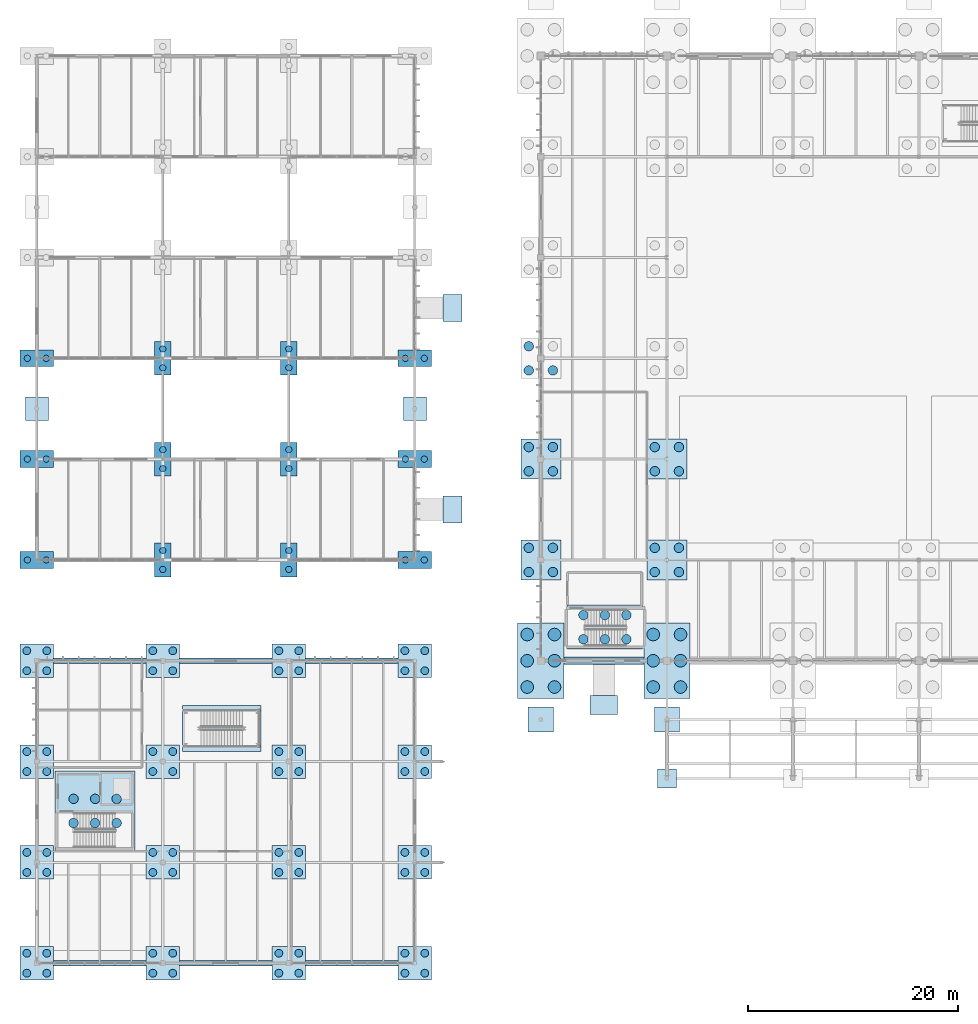
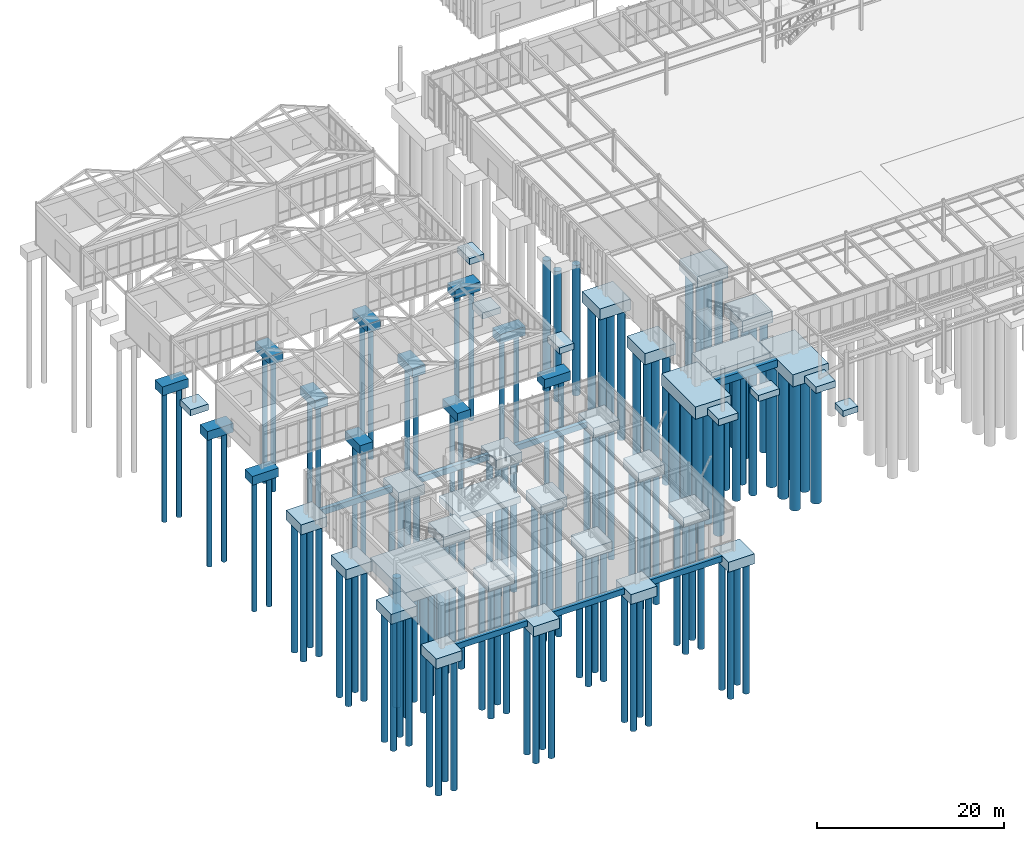
# One storey, part 1 of 188: 131 piles, 52 footings.
"""IFC4 building model written with IfcOpenShell, lengths in metres."""

from ifc_helpers import new_model, si_unit, direction, frame, origin, origin_2d, place, context, subcontext, project, spatial, rectangle, circle, extrude, material, material_profile, profile_set, type_object, element, save


model = new_model("IFC4")

# Units and contexts
model_context = context("Model", 3, precision=1e-05, world=origin(), true_north=direction((0.0, 1.0)))
body_context = subcontext(model_context, "Body", "Model", "MODEL_VIEW")
ifc_project = project(units=[si_unit("LENGTHUNIT", "METRE"), si_unit("AREAUNIT", "SQUARE_METRE"), si_unit("VOLUMEUNIT", "CUBIC_METRE"), si_unit("PLANEANGLEUNIT", "RADIAN"), si_unit("MASSUNIT", "GRAM", prefix="KILO")], contexts=[model_context])

# Site, building, storey
site_placement = place(None, origin())
site = spatial("IfcSite", under=ifc_project, at=site_placement, CompositionType="ELEMENT")
building_placement = place(site_placement, origin())
building = spatial("IfcBuilding", under=site, at=building_placement, Name="Pandanus Reach Market Hall", CompositionType="ELEMENT")
storey_placement = place(building_placement, origin())
storey = spatial("IfcBuildingStorey", under=building, at=storey_placement, Name="L00", CompositionType="ELEMENT", Elevation=0.0)

# Footings
ifc_material = material(Name="Concrete N40 (40 MPa)", Category="concrete")
footing_type_1 = type_object("IfcFootingType", Name="FB-01", PredefinedType="FOOTING_BEAM", material=ifc_material)
for number, where, z_axis, x_axis, name in (
    (1, (6.0, 0.0, -1.02001953125), (0.0, 0.0, 1.0), (1.0, 0.0, 0.0), "Ground tie beam FB-01 35"),
    (2, (18.0, 0.0, -1.02001953125), (0.0, 0.0, 1.0), (1.0, 0.0, 0.0), "Ground tie beam FB-01 36"),
    (3, (30.0, 0.0, -1.02001953125), (0.0, 0.0, 1.0), (1.0, 0.0, 0.0), "Ground tie beam FB-01 37"),
    (4, (6.0, 28.800048828125, -1.02001953125), (0.0, 0.0, 1.0), (1.0, 0.0, 0.0), "Ground tie beam FB-01 38"),
    (5, (18.0, 28.800048828125, -1.02001953125), (0.0, 0.0, 1.0), (1.0, 0.0, 0.0), "Ground tie beam FB-01 39"),
    (6, (30.0, 28.800048828125, -1.02001953125), (0.0, 0.0, 1.0), (1.0, 0.0, 0.0), "Ground tie beam FB-01 40"),
):
    element("IfcFooting", number, at=place(storey_placement, frame(where, z_axis=z_axis, x_axis=x_axis)), inside=storey, type_object=footing_type_1, Name=name, PredefinedType="FOOTING_BEAM", context=body_context, shape_type="SweptSolid", body=[
        extrude(rectangle(XDim=8.800048828125, YDim=0.5, at=origin_2d()), origin(), (0.0, 0.0, 1.0), 0.75),
    ])
footing_type_2 = type_object("IfcFootingType", Name="FB-03", PredefinedType="FOOTING_BEAM", material=ifc_material)
footing_1_placement = place(storey_placement, frame((54.0, 28.800048828125, -1.25), z_axis=(0.0, 0.0, 1.0), x_axis=(1.0, 0.0, 0.0)))
element("IfcFooting", 7, at=footing_1_placement, inside=storey, type_object=footing_type_2, Name="Ground tie beam FB-03 21", PredefinedType="FOOTING_BEAM", context=body_context, shape_type="SweptSolid", body=[
    extrude(rectangle(XDim=7.60009765625, YDim=0.699951171875, at=origin_2d()), origin(), (0.0, 0.0, 1.0), 0.949951171875),
])
footing_type_3 = type_object("IfcFootingType", Name="PC-07", PredefinedType="PILE_CAP", material=ifc_material)
for number, where, z_axis, x_axis, name in (
    (8, (48.0, 28.800048828125, -1.900146484375), (0.0, 0.0, 1.0), (1.0, 0.0, 0.0), "Pile cap PC-07 at V1A-48-288"),
    (9, (60.0, 28.800048828125, -1.900146484375), (0.0, 0.0, 1.0), (1.0, 0.0, 0.0), "Pile cap PC-07 at V1A-60-288"),
):
    element("IfcFooting", number, at=place(storey_placement, frame(where, z_axis=z_axis, x_axis=x_axis)), inside=storey, type_object=footing_type_3, Name=name, PredefinedType="PILE_CAP", context=body_context, shape_type="SweptSolid", body=[
        extrude(rectangle(XDim=4.39990234375, YDim=7.199951171875, at=origin_2d()), origin(), (0.0, 0.0, 1.0), 1.60009765625),
    ])
footing_type_4 = type_object("IfcFootingType", Name="PC-08", PredefinedType="PILE_CAP", material=ifc_material)
for number, where, z_axis, x_axis, name in (
    (10, (48.0, 38.39990234375, -1.75), (0.0, 0.0, 1.0), (1.0, 0.0, 0.0), "Pile cap PC-08 at V1M-48-384"),
    (11, (60.0, 38.39990234375, -1.75), (0.0, 0.0, 1.0), (1.0, 0.0, 0.0), "Pile cap PC-08 at V1M-60-384"),
    (12, (48.0, 48.0, -1.75), (0.0, 0.0, 1.0), (1.0, 0.0, 0.0), "Pile cap PC-08 at V1G-48-480"),
    (13, (60.0, 48.0, -1.75), (0.0, 0.0, 1.0), (1.0, 0.0, 0.0), "Pile cap PC-08 at V1G-60-480"),
):
    element("IfcFooting", number, at=place(storey_placement, frame(where, z_axis=z_axis, x_axis=x_axis)), inside=storey, type_object=footing_type_4, Name=name, PredefinedType="PILE_CAP", context=body_context, shape_type="SweptSolid", body=[
        extrude(rectangle(XDim=3.800048828125, YDim=3.800048828125, at=origin_2d()), origin(), (0.0, 0.0, 1.0), 1.449951171875),
    ])
footing_type_5 = type_object("IfcFootingType", Name="PC-09", PredefinedType="PILE_CAP", material=ifc_material)
for number, where, z_axis, x_axis, name in (
    (14, (0.0, 0.0, -1.56982421875), (0.0, 0.0, 1.0), (1.0, 0.0, 0.0), "Pile cap PC-09 at V3-0-0"),
    (15, (12.0, 0.0, -1.56982421875), (0.0, 0.0, 1.0), (1.0, 0.0, 0.0), "Pile cap PC-09 at V3-12-0"),
    (16, (24.0, 0.0, -1.56982421875), (0.0, 0.0, 1.0), (1.0, 0.0, 0.0), "Pile cap PC-09 at V3-24-0"),
    (17, (36.0, 0.0, -1.56982421875), (0.0, 0.0, 1.0), (1.0, 0.0, 0.0), "Pile cap PC-09 at V3-36-0"),
    (18, (0.0, 9.60009765625, -1.56982421875), (0.0, 0.0, 1.0), (1.0, 0.0, 0.0), "Pile cap PC-09 at V3-0-96"),
    (19, (12.0, 9.60009765625, -1.56982421875), (0.0, 0.0, 1.0), (1.0, 0.0, 0.0), "Pile cap PC-09 at V3-12-96"),
    (20, (24.0, 9.60009765625, -1.56982421875), (0.0, 0.0, 1.0), (1.0, 0.0, 0.0), "Pile cap PC-09 at V3-24-96"),
    (21, (36.0, 9.60009765625, -1.56982421875), (0.0, 0.0, 1.0), (1.0, 0.0, 0.0), "Pile cap PC-09 at V3-36-96"),
    (22, (0.0, 19.199951171875, -1.56982421875), (0.0, 0.0, 1.0), (1.0, 0.0, 0.0), "Pile cap PC-09 at V3-0-192"),
    (23, (12.0, 19.199951171875, -1.56982421875), (0.0, 0.0, 1.0), (1.0, 0.0, 0.0), "Pile cap PC-09 at V3-12-192"),
    (24, (24.0, 19.199951171875, -1.56982421875), (0.0, 0.0, 1.0), (1.0, 0.0, 0.0), "Pile cap PC-09 at V3-24-192"),
    (25, (36.0, 19.199951171875, -1.56982421875), (0.0, 0.0, 1.0), (1.0, 0.0, 0.0), "Pile cap PC-09 at V3-36-192"),
    (26, (0.0, 28.800048828125, -1.56982421875), (0.0, 0.0, 1.0), (1.0, 0.0, 0.0), "Pile cap PC-09 at V3-0-288"),
    (27, (12.0, 28.800048828125, -1.56982421875), (0.0, 0.0, 1.0), (1.0, 0.0, 0.0), "Pile cap PC-09 at V3-12-288"),
    (28, (24.0, 28.800048828125, -1.56982421875), (0.0, 0.0, 1.0), (1.0, 0.0, 0.0), "Pile cap PC-09 at V3-24-288"),
    (29, (36.0, 28.800048828125, -1.56982421875), (0.0, 0.0, 1.0), (1.0, 0.0, 0.0), "Pile cap PC-09 at V3-36-288"),
):
    element("IfcFooting", number, at=place(storey_placement, frame(where, z_axis=z_axis, x_axis=x_axis)), inside=storey, type_object=footing_type_5, Name=name, PredefinedType="PILE_CAP", context=body_context, shape_type="SweptSolid", body=[
        extrude(rectangle(XDim=3.199951171875, YDim=3.199951171875, at=origin_2d()), origin(), (0.0, 0.0, 1.0), 1.300048828125),
    ])
footing_type_6 = type_object("IfcFootingType", Name="PC-10", PredefinedType="PILE_CAP", material=ifc_material)
for number, where, z_axis, x_axis, name in (
    (30, (0.0, 38.39990234375, -1.405029296875), (0.0, 0.0, 1.0), (1.0, 0.0, 0.0), "Pile cap PC-10 at V2-0-384"),
    (31, (36.0, 38.39990234375, -1.405029296875), (0.0, 0.0, 1.0), (1.0, 0.0, 0.0), "Pile cap PC-10 at V2-36-384"),
    (32, (0.0, 48.0, -1.405029296875), (0.0, 0.0, 1.0), (1.0, 0.0, 0.0), "Pile cap PC-10 at V2-0-480"),
    (33, (36.0, 48.0, -1.405029296875), (0.0, 0.0, 1.0), (1.0, 0.0, 0.0), "Pile cap PC-10 at V2-36-480"),
    (34, (0.0, 57.60009765625, -1.405029296875), (0.0, 0.0, 1.0), (1.0, 0.0, 0.0), "Pile cap PC-10 at V2-0-576"),
    (35, (36.0, 57.60009765625, -1.405029296875), (0.0, 0.0, 1.0), (1.0, 0.0, 0.0), "Pile cap PC-10 at V2-36-576"),
):
    element("IfcFooting", number, at=place(storey_placement, frame(where, z_axis=z_axis, x_axis=x_axis)), inside=storey, type_object=footing_type_6, Name=name, PredefinedType="PILE_CAP", context=body_context, shape_type="SweptSolid", body=[
        extrude(rectangle(XDim=3.199951171875, YDim=1.60009765625, at=origin_2d()), origin(), (0.0, 0.0, 1.0), 1.14990234375),
    ])
footing_type_7 = type_object("IfcFootingType", Name="PC-11", PredefinedType="PILE_CAP", material=ifc_material)
for number, where, z_axis, x_axis, name in (
    (36, (12.0, 38.39990234375, -1.405029296875), (0.0, 0.0, 1.0), (1.0, 0.0, 0.0), "Pile cap PC-11 at V2-12-384"),
    (37, (24.0, 38.39990234375, -1.405029296875), (0.0, 0.0, 1.0), (1.0, 0.0, 0.0), "Pile cap PC-11 at V2-24-384"),
    (38, (12.0, 48.0, -1.405029296875), (0.0, 0.0, 1.0), (1.0, 0.0, 0.0), "Pile cap PC-11 at V2-12-480"),
    (39, (24.0, 48.0, -1.405029296875), (0.0, 0.0, 1.0), (1.0, 0.0, 0.0), "Pile cap PC-11 at V2-24-480"),
    (40, (12.0, 57.60009765625, -1.405029296875), (0.0, 0.0, 1.0), (1.0, 0.0, 0.0), "Pile cap PC-11 at V2-12-576"),
    (41, (24.0, 57.60009765625, -1.405029296875), (0.0, 0.0, 1.0), (1.0, 0.0, 0.0), "Pile cap PC-11 at V2-24-576"),
):
    element("IfcFooting", number, at=place(storey_placement, frame(where, z_axis=z_axis, x_axis=x_axis)), inside=storey, type_object=footing_type_7, Name=name, PredefinedType="PILE_CAP", context=body_context, shape_type="SweptSolid", body=[
        extrude(rectangle(XDim=1.60009765625, YDim=3.199951171875, at=origin_2d()), origin(), (0.0, 0.0, 1.0), 1.14990234375),
    ])
footing_type_8 = type_object("IfcFootingType", Name="PC-12", PredefinedType="PILE_CAP", material=ifc_material)
footing_2_placement = place(storey_placement, frame((5.550048828125, 14.5, -1.77001953125), z_axis=(0.0, 0.0, 1.0), x_axis=(1.0, 0.0, 0.0)))
element("IfcFooting", 42, at=footing_2_placement, inside=storey, type_object=footing_type_8, Name="Core pile cap PC-12 C5", PredefinedType="PILE_CAP", context=body_context, shape_type="SweptSolid", body=[
    extrude(rectangle(XDim=7.60009765625, YDim=7.60009765625, at=origin_2d()), origin(), (0.0, 0.0, 1.0), 1.5),
])
footing_3_placement = place(storey_placement, frame((54.10009765625, 32.0, -1.800048828125), z_axis=(0.0, 0.0, 1.0), x_axis=(1.0, 0.0, 0.0)))
element("IfcFooting", 43, at=footing_3_placement, inside=storey, type_object=footing_type_8, Name="Core pile cap PC-12 C6", PredefinedType="PILE_CAP", context=body_context, shape_type="SweptSolid", body=[
    extrude(rectangle(XDim=7.199951171875, YDim=4.199951171875, at=origin_2d()), origin(), (0.0, 0.0, 1.0), 1.5),
])
footing_type_9 = type_object("IfcFootingType", Name="PD-01", PredefinedType="PAD_FOOTING", material=ifc_material)
footing_4_placement = place(storey_placement, frame((60.0, 17.60009765625, -1.050048828125), z_axis=(0.0, 0.0, 1.0), x_axis=(1.0, 0.0, 0.0)))
element("IfcFooting", 44, at=footing_4_placement, inside=storey, type_object=footing_type_9, Name="Pad footing PD-01 P17", PredefinedType="PAD_FOOTING", context=body_context, shape_type="SweptSolid", body=[
    extrude(rectangle(XDim=1.800048828125, YDim=1.800048828125, at=origin_2d()), origin(), (0.0, 0.0, 1.0), 0.75),
])
footing_type_10 = type_object("IfcFootingType", Name="PD-02", PredefinedType="PAD_FOOTING", material=ifc_material)
for number, where, z_axis, x_axis, name in (
    (45, (48.0, 23.199951171875, -1.150146484375), (0.0, 0.0, 1.0), (1.0, 0.0, 0.0), "Pad footing PD-02 P1"),
    (46, (60.0, 23.199951171875, -1.150146484375), (0.0, 0.0, 1.0), (1.0, 0.0, 0.0), "Pad footing PD-02 P2"),
):
    element("IfcFooting", number, at=place(storey_placement, frame(where, z_axis=z_axis, x_axis=x_axis)), inside=storey, type_object=footing_type_10, Name=name, PredefinedType="PAD_FOOTING", context=body_context, shape_type="SweptSolid", body=[
        extrude(rectangle(XDim=2.39990234375, YDim=2.39990234375, at=origin_2d()), origin(), (0.0, 0.0, 1.0), 0.85009765625),
    ])
footing_type_11 = type_object("IfcFootingType", Name="PD-03", PredefinedType="PAD_FOOTING", material=ifc_material)
for number, where, z_axis, x_axis, name in (
    (47, (54.0, 24.60009765625, -1.10009765625), (0.0, 0.0, 1.0), (1.0, 0.0, 0.0), "Pedestrian ramp toe footing RP1"),
    (48, (39.60009765625, 43.199951171875, -1.0498046875), (0.0, 0.0, 1.0), (0.0, 1.0, 0.0), "Pedestrian ramp toe footing RP3"),
    (49, (39.60009765625, 62.39990234375, -1.0498046875), (0.0, 0.0, 1.0), (0.0, 1.0, 0.0), "Pedestrian ramp toe footing RP4"),
):
    element("IfcFooting", number, at=place(storey_placement, frame(where, z_axis=z_axis, x_axis=x_axis)), inside=storey, type_object=footing_type_11, Name=name, PredefinedType="PAD_FOOTING", context=body_context, shape_type="SweptSolid", body=[
        extrude(rectangle(XDim=2.60009765625, YDim=1.800048828125, at=origin_2d()), origin(), (0.0, 0.0, 1.0), 0.800048828125),
    ])
footing_type_12 = type_object("IfcFootingType", Name="PD-04", PredefinedType="PAD_FOOTING", material=ifc_material)
for number, where, z_axis, x_axis, name in (
    (50, (0.0, 52.800048828125, -1.10009765625), (0.0, 0.0, 1.0), (1.0, 0.0, 0.0), "Pad footing PD-04 P23"),
    (51, (36.0, 52.800048828125, -1.10009765625), (0.0, 0.0, 1.0), (1.0, 0.0, 0.0), "Pad footing PD-04 P24"),
):
    element("IfcFooting", number, at=place(storey_placement, frame(where, z_axis=z_axis, x_axis=x_axis)), inside=storey, type_object=footing_type_12, Name=name, PredefinedType="PAD_FOOTING", context=body_context, shape_type="SweptSolid", body=[
        extrude(rectangle(XDim=2.199951171875, YDim=2.199951171875, at=origin_2d()), origin(), (0.0, 0.0, 1.0), 0.800048828125),
    ])
footing_type_13 = type_object("IfcFootingType", Name="PD-05", PredefinedType="PAD_FOOTING", material=ifc_material)
footing_5_placement = place(storey_placement, frame((17.610107421875, 22.360107421875, -1.1201171875), z_axis=(0.0, 0.0, 1.0), x_axis=(1.0, 0.0, 0.0)))
element("IfcFooting", 52, at=footing_5_placement, inside=storey, type_object=footing_type_13, Name="Feature stair combined pad footing ST-10", PredefinedType="PAD_FOOTING", context=body_context, shape_type="SweptSolid", body=[
    extrude(rectangle(XDim=7.469970703125, YDim=4.39990234375, at=origin_2d()), origin(), (0.0, 0.0, 1.0), 0.85009765625),
])

# Piles
ifc_material_profile_1 = material_profile(ifc_material, circle(Radius=0.60009765625, at=origin_2d()), Name="PILE-1200D", Category="LoadBearing")
ifc_profile_set_1 = profile_set([ifc_material_profile_1], Name="Concrete N40 (40 MPa)")
pile_type_1 = type_object("IfcPileType", Name="PL-1200", PredefinedType="BORED", material=ifc_profile_set_1)
for number, where, z_axis, x_axis, name in (
    (53, (46.699951171875, 26.300048828125, -1.800048828125), (0.0, 0.0, -1.0), (1.0, 0.0, 0.0), "Bored pile PL-1200 V1A-48-288.1"),
    (54, (49.300048828125, 26.300048828125, -1.800048828125), (0.0, 0.0, -1.0), (1.0, 0.0, 0.0), "Bored pile PL-1200 V1A-48-288.2"),
    (55, (46.699951171875, 28.800048828125, -1.800048828125), (0.0, 0.0, -1.0), (1.0, 0.0, 0.0), "Bored pile PL-1200 V1A-48-288.3"),
    (56, (49.300048828125, 28.800048828125, -1.800048828125), (0.0, 0.0, -1.0), (1.0, 0.0, 0.0), "Bored pile PL-1200 V1A-48-288.4"),
    (57, (46.699951171875, 31.300048828125, -1.800048828125), (0.0, 0.0, -1.0), (1.0, 0.0, 0.0), "Bored pile PL-1200 V1A-48-288.5"),
    (58, (49.300048828125, 31.300048828125, -1.800048828125), (0.0, 0.0, -1.0), (1.0, 0.0, 0.0), "Bored pile PL-1200 V1A-48-288.6"),
    (59, (58.699951171875, 26.300048828125, -1.800048828125), (0.0, 0.0, -1.0), (1.0, 0.0, 0.0), "Bored pile PL-1200 V1A-60-288.1"),
    (60, (61.300048828125, 26.300048828125, -1.800048828125), (0.0, 0.0, -1.0), (1.0, 0.0, 0.0), "Bored pile PL-1200 V1A-60-288.2"),
    (61, (58.699951171875, 28.800048828125, -1.800048828125), (0.0, 0.0, -1.0), (1.0, 0.0, 0.0), "Bored pile PL-1200 V1A-60-288.3"),
    (62, (61.300048828125, 28.800048828125, -1.800048828125), (0.0, 0.0, -1.0), (1.0, 0.0, 0.0), "Bored pile PL-1200 V1A-60-288.4"),
    (63, (58.699951171875, 31.300048828125, -1.800048828125), (0.0, 0.0, -1.0), (1.0, 0.0, 0.0), "Bored pile PL-1200 V1A-60-288.5"),
    (64, (61.300048828125, 31.300048828125, -1.800048828125), (0.0, 0.0, -1.0), (1.0, 0.0, 0.0), "Bored pile PL-1200 V1A-60-288.6"),
):
    element("IfcPile", number, at=place(storey_placement, frame(where, z_axis=z_axis, x_axis=x_axis)), inside=storey, type_object=pile_type_1, Name=name, PredefinedType="BORED", context=body_context, shape_type="SweptSolid", body=[
        extrude(circle(Radius=0.60009765625, at=origin_2d()), origin(), (0.0, 0.0, 1.0), 16.800048828125),
    ])
ifc_material_profile_2 = material_profile(ifc_material, circle(Radius=0.300048828125, at=origin_2d()), Name="PILE-600D", Category="LoadBearing")
ifc_profile_set_2 = profile_set([ifc_material_profile_2], Name="Concrete N40 (40 MPa)")
pile_type_2 = type_object("IfcPileType", Name="PL-600", PredefinedType="BORED", material=ifc_profile_set_2)
for number, where, z_axis, x_axis, name in (
    (65, (-0.89990234375, 38.39990234375, -1.304931640625), (0.0, 0.0, -1.0), (1.0, 0.0, 0.0), "Bored pile PL-600 V2-0-384.1"),
    (66, (0.89990234375, 38.39990234375, -1.304931640625), (0.0, 0.0, -1.0), (1.0, 0.0, 0.0), "Bored pile PL-600 V2-0-384.2"),
    (67, (12.0, 37.5, -1.304931640625), (0.0, 0.0, -1.0), (1.0, 0.0, 0.0), "Bored pile PL-600 V2-12-384.1"),
    (68, (12.0, 39.300048828125, -1.304931640625), (0.0, 0.0, -1.0), (1.0, 0.0, 0.0), "Bored pile PL-600 V2-12-384.2"),
    (69, (24.0, 37.5, -1.304931640625), (0.0, 0.0, -1.0), (1.0, 0.0, 0.0), "Bored pile PL-600 V2-24-384.1"),
    (70, (24.0, 39.300048828125, -1.304931640625), (0.0, 0.0, -1.0), (1.0, 0.0, 0.0), "Bored pile PL-600 V2-24-384.2"),
    (71, (35.10009765625, 38.39990234375, -1.304931640625), (0.0, 0.0, -1.0), (1.0, 0.0, 0.0), "Bored pile PL-600 V2-36-384.1"),
    (72, (36.89990234375, 38.39990234375, -1.304931640625), (0.0, 0.0, -1.0), (1.0, 0.0, 0.0), "Bored pile PL-600 V2-36-384.2"),
    (73, (-0.89990234375, 48.0, -1.304931640625), (0.0, 0.0, -1.0), (1.0, 0.0, 0.0), "Bored pile PL-600 V2-0-480.1"),
    (74, (0.89990234375, 48.0, -1.304931640625), (0.0, 0.0, -1.0), (1.0, 0.0, 0.0), "Bored pile PL-600 V2-0-480.2"),
    (75, (12.0, 47.10009765625, -1.304931640625), (0.0, 0.0, -1.0), (1.0, 0.0, 0.0), "Bored pile PL-600 V2-12-480.1"),
    (76, (12.0, 48.89990234375, -1.304931640625), (0.0, 0.0, -1.0), (1.0, 0.0, 0.0), "Bored pile PL-600 V2-12-480.2"),
    (77, (24.0, 47.10009765625, -1.304931640625), (0.0, 0.0, -1.0), (1.0, 0.0, 0.0), "Bored pile PL-600 V2-24-480.1"),
    (78, (24.0, 48.89990234375, -1.304931640625), (0.0, 0.0, -1.0), (1.0, 0.0, 0.0), "Bored pile PL-600 V2-24-480.2"),
    (79, (35.10009765625, 48.0, -1.304931640625), (0.0, 0.0, -1.0), (1.0, 0.0, 0.0), "Bored pile PL-600 V2-36-480.1"),
    (80, (36.89990234375, 48.0, -1.304931640625), (0.0, 0.0, -1.0), (1.0, 0.0, 0.0), "Bored pile PL-600 V2-36-480.2"),
    (81, (-0.89990234375, 57.60009765625, -1.304931640625), (0.0, 0.0, -1.0), (1.0, 0.0, 0.0), "Bored pile PL-600 V2-0-576.1"),
    (82, (0.89990234375, 57.60009765625, -1.304931640625), (0.0, 0.0, -1.0), (1.0, 0.0, 0.0), "Bored pile PL-600 V2-0-576.2"),
    (83, (12.0, 56.699951171875, -1.304931640625), (0.0, 0.0, -1.0), (1.0, 0.0, 0.0), "Bored pile PL-600 V2-12-576.1"),
    (84, (12.0, 58.5, -1.304931640625), (0.0, 0.0, -1.0), (1.0, 0.0, 0.0), "Bored pile PL-600 V2-12-576.2"),
    (85, (24.0, 56.699951171875, -1.304931640625), (0.0, 0.0, -1.0), (1.0, 0.0, 0.0), "Bored pile PL-600 V2-24-576.1"),
    (86, (24.0, 58.5, -1.304931640625), (0.0, 0.0, -1.0), (1.0, 0.0, 0.0), "Bored pile PL-600 V2-24-576.2"),
    (87, (35.10009765625, 57.60009765625, -1.304931640625), (0.0, 0.0, -1.0), (1.0, 0.0, 0.0), "Bored pile PL-600 V2-36-576.1"),
    (88, (36.89990234375, 57.60009765625, -1.304931640625), (0.0, 0.0, -1.0), (1.0, 0.0, 0.0), "Bored pile PL-600 V2-36-576.2"),
):
    element("IfcPile", number, at=place(storey_placement, frame(where, z_axis=z_axis, x_axis=x_axis)), inside=storey, type_object=pile_type_2, Name=name, PredefinedType="BORED", context=body_context, shape_type="SweptSolid", body=[
        extrude(circle(Radius=0.300048828125, at=origin_2d()), origin(), (0.0, 0.0, 1.0), 17.10009765625),
    ])
ifc_material_profile_3 = material_profile(ifc_material, circle(Radius=0.375, at=origin_2d()), Name="PILE-750D", Category="LoadBearing")
ifc_profile_set_3 = profile_set([ifc_material_profile_3], Name="Concrete N40 (40 MPa)")
pile_type_3 = type_object("IfcPileType", Name="PL-750", PredefinedType="BORED", material=ifc_profile_set_3)
for number, where, z_axis, x_axis, name in (
    (89, (-0.949951171875, -0.949951171875, -1.469970703125), (0.0, 0.0, -1.0), (1.0, 0.0, 0.0), "Bored pile PL-750 V3-0-0.1"),
    (90, (-0.949951171875, 0.949951171875, -1.469970703125), (0.0, 0.0, -1.0), (1.0, 0.0, 0.0), "Bored pile PL-750 V3-0-0.2"),
    (91, (0.949951171875, -0.949951171875, -1.469970703125), (0.0, 0.0, -1.0), (1.0, 0.0, 0.0), "Bored pile PL-750 V3-0-0.3"),
    (92, (0.949951171875, 0.949951171875, -1.469970703125), (0.0, 0.0, -1.0), (1.0, 0.0, 0.0), "Bored pile PL-750 V3-0-0.4"),
    (93, (11.050048828125, -0.949951171875, -1.469970703125), (0.0, 0.0, -1.0), (1.0, 0.0, 0.0), "Bored pile PL-750 V3-12-0.1"),
    (94, (11.050048828125, 0.949951171875, -1.469970703125), (0.0, 0.0, -1.0), (1.0, 0.0, 0.0), "Bored pile PL-750 V3-12-0.2"),
    (95, (12.949951171875, -0.949951171875, -1.469970703125), (0.0, 0.0, -1.0), (1.0, 0.0, 0.0), "Bored pile PL-750 V3-12-0.3"),
    (96, (12.949951171875, 0.949951171875, -1.469970703125), (0.0, 0.0, -1.0), (1.0, 0.0, 0.0), "Bored pile PL-750 V3-12-0.4"),
    (97, (23.050048828125, -0.949951171875, -1.469970703125), (0.0, 0.0, -1.0), (1.0, 0.0, 0.0), "Bored pile PL-750 V3-24-0.1"),
    (98, (23.050048828125, 0.949951171875, -1.469970703125), (0.0, 0.0, -1.0), (1.0, 0.0, 0.0), "Bored pile PL-750 V3-24-0.2"),
    (99, (24.949951171875, -0.949951171875, -1.469970703125), (0.0, 0.0, -1.0), (1.0, 0.0, 0.0), "Bored pile PL-750 V3-24-0.3"),
    (100, (24.949951171875, 0.949951171875, -1.469970703125), (0.0, 0.0, -1.0), (1.0, 0.0, 0.0), "Bored pile PL-750 V3-24-0.4"),
    (101, (35.050048828125, -0.949951171875, -1.469970703125), (0.0, 0.0, -1.0), (1.0, 0.0, 0.0), "Bored pile PL-750 V3-36-0.1"),
    (102, (35.050048828125, 0.949951171875, -1.469970703125), (0.0, 0.0, -1.0), (1.0, 0.0, 0.0), "Bored pile PL-750 V3-36-0.2"),
    (103, (36.949951171875, -0.949951171875, -1.469970703125), (0.0, 0.0, -1.0), (1.0, 0.0, 0.0), "Bored pile PL-750 V3-36-0.3"),
    (104, (36.949951171875, 0.949951171875, -1.469970703125), (0.0, 0.0, -1.0), (1.0, 0.0, 0.0), "Bored pile PL-750 V3-36-0.4"),
    (105, (-0.949951171875, 8.64990234375, -1.469970703125), (0.0, 0.0, -1.0), (1.0, 0.0, 0.0), "Bored pile PL-750 V3-0-96.1"),
    (106, (-0.949951171875, 10.550048828125, -1.469970703125), (0.0, 0.0, -1.0), (1.0, 0.0, 0.0), "Bored pile PL-750 V3-0-96.2"),
    (107, (0.949951171875, 8.64990234375, -1.469970703125), (0.0, 0.0, -1.0), (1.0, 0.0, 0.0), "Bored pile PL-750 V3-0-96.3"),
    (108, (0.949951171875, 10.550048828125, -1.469970703125), (0.0, 0.0, -1.0), (1.0, 0.0, 0.0), "Bored pile PL-750 V3-0-96.4"),
    (109, (11.050048828125, 8.64990234375, -1.469970703125), (0.0, 0.0, -1.0), (1.0, 0.0, 0.0), "Bored pile PL-750 V3-12-96.1"),
    (110, (11.050048828125, 10.550048828125, -1.469970703125), (0.0, 0.0, -1.0), (1.0, 0.0, 0.0), "Bored pile PL-750 V3-12-96.2"),
    (111, (12.949951171875, 8.64990234375, -1.469970703125), (0.0, 0.0, -1.0), (1.0, 0.0, 0.0), "Bored pile PL-750 V3-12-96.3"),
    (112, (12.949951171875, 10.550048828125, -1.469970703125), (0.0, 0.0, -1.0), (1.0, 0.0, 0.0), "Bored pile PL-750 V3-12-96.4"),
    (113, (23.050048828125, 8.64990234375, -1.469970703125), (0.0, 0.0, -1.0), (1.0, 0.0, 0.0), "Bored pile PL-750 V3-24-96.1"),
    (114, (23.050048828125, 10.550048828125, -1.469970703125), (0.0, 0.0, -1.0), (1.0, 0.0, 0.0), "Bored pile PL-750 V3-24-96.2"),
    (115, (24.949951171875, 8.64990234375, -1.469970703125), (0.0, 0.0, -1.0), (1.0, 0.0, 0.0), "Bored pile PL-750 V3-24-96.3"),
    (116, (24.949951171875, 10.550048828125, -1.469970703125), (0.0, 0.0, -1.0), (1.0, 0.0, 0.0), "Bored pile PL-750 V3-24-96.4"),
    (117, (35.050048828125, 8.64990234375, -1.469970703125), (0.0, 0.0, -1.0), (1.0, 0.0, 0.0), "Bored pile PL-750 V3-36-96.1"),
    (118, (35.050048828125, 10.550048828125, -1.469970703125), (0.0, 0.0, -1.0), (1.0, 0.0, 0.0), "Bored pile PL-750 V3-36-96.2"),
    (119, (36.949951171875, 8.64990234375, -1.469970703125), (0.0, 0.0, -1.0), (1.0, 0.0, 0.0), "Bored pile PL-750 V3-36-96.3"),
    (120, (36.949951171875, 10.550048828125, -1.469970703125), (0.0, 0.0, -1.0), (1.0, 0.0, 0.0), "Bored pile PL-750 V3-36-96.4"),
    (121, (-0.949951171875, 18.25, -1.469970703125), (0.0, 0.0, -1.0), (1.0, 0.0, 0.0), "Bored pile PL-750 V3-0-192.1"),
    (122, (-0.949951171875, 20.14990234375, -1.469970703125), (0.0, 0.0, -1.0), (1.0, 0.0, 0.0), "Bored pile PL-750 V3-0-192.2"),
    (123, (0.949951171875, 18.25, -1.469970703125), (0.0, 0.0, -1.0), (1.0, 0.0, 0.0), "Bored pile PL-750 V3-0-192.3"),
    (124, (0.949951171875, 20.14990234375, -1.469970703125), (0.0, 0.0, -1.0), (1.0, 0.0, 0.0), "Bored pile PL-750 V3-0-192.4"),
    (125, (11.050048828125, 18.25, -1.469970703125), (0.0, 0.0, -1.0), (1.0, 0.0, 0.0), "Bored pile PL-750 V3-12-192.1"),
    (126, (11.050048828125, 20.14990234375, -1.469970703125), (0.0, 0.0, -1.0), (1.0, 0.0, 0.0), "Bored pile PL-750 V3-12-192.2"),
    (127, (12.949951171875, 18.25, -1.469970703125), (0.0, 0.0, -1.0), (1.0, 0.0, 0.0), "Bored pile PL-750 V3-12-192.3"),
    (128, (12.949951171875, 20.14990234375, -1.469970703125), (0.0, 0.0, -1.0), (1.0, 0.0, 0.0), "Bored pile PL-750 V3-12-192.4"),
    (129, (23.050048828125, 18.25, -1.469970703125), (0.0, 0.0, -1.0), (1.0, 0.0, 0.0), "Bored pile PL-750 V3-24-192.1"),
    (130, (23.050048828125, 20.14990234375, -1.469970703125), (0.0, 0.0, -1.0), (1.0, 0.0, 0.0), "Bored pile PL-750 V3-24-192.2"),
    (131, (24.949951171875, 18.25, -1.469970703125), (0.0, 0.0, -1.0), (1.0, 0.0, 0.0), "Bored pile PL-750 V3-24-192.3"),
    (132, (24.949951171875, 20.14990234375, -1.469970703125), (0.0, 0.0, -1.0), (1.0, 0.0, 0.0), "Bored pile PL-750 V3-24-192.4"),
    (133, (35.050048828125, 18.25, -1.469970703125), (0.0, 0.0, -1.0), (1.0, 0.0, 0.0), "Bored pile PL-750 V3-36-192.1"),
    (134, (35.050048828125, 20.14990234375, -1.469970703125), (0.0, 0.0, -1.0), (1.0, 0.0, 0.0), "Bored pile PL-750 V3-36-192.2"),
    (135, (36.949951171875, 18.25, -1.469970703125), (0.0, 0.0, -1.0), (1.0, 0.0, 0.0), "Bored pile PL-750 V3-36-192.3"),
    (136, (36.949951171875, 20.14990234375, -1.469970703125), (0.0, 0.0, -1.0), (1.0, 0.0, 0.0), "Bored pile PL-750 V3-36-192.4"),
    (137, (-0.949951171875, 27.85009765625, -1.469970703125), (0.0, 0.0, -1.0), (1.0, 0.0, 0.0), "Bored pile PL-750 V3-0-288.1"),
    (138, (-0.949951171875, 29.75, -1.469970703125), (0.0, 0.0, -1.0), (1.0, 0.0, 0.0), "Bored pile PL-750 V3-0-288.2"),
    (139, (0.949951171875, 27.85009765625, -1.469970703125), (0.0, 0.0, -1.0), (1.0, 0.0, 0.0), "Bored pile PL-750 V3-0-288.3"),
    (140, (0.949951171875, 29.75, -1.469970703125), (0.0, 0.0, -1.0), (1.0, 0.0, 0.0), "Bored pile PL-750 V3-0-288.4"),
    (141, (11.050048828125, 27.85009765625, -1.469970703125), (0.0, 0.0, -1.0), (1.0, 0.0, 0.0), "Bored pile PL-750 V3-12-288.1"),
    (142, (11.050048828125, 29.75, -1.469970703125), (0.0, 0.0, -1.0), (1.0, 0.0, 0.0), "Bored pile PL-750 V3-12-288.2"),
    (143, (12.949951171875, 27.85009765625, -1.469970703125), (0.0, 0.0, -1.0), (1.0, 0.0, 0.0), "Bored pile PL-750 V3-12-288.3"),
    (144, (12.949951171875, 29.75, -1.469970703125), (0.0, 0.0, -1.0), (1.0, 0.0, 0.0), "Bored pile PL-750 V3-12-288.4"),
    (145, (23.050048828125, 27.85009765625, -1.469970703125), (0.0, 0.0, -1.0), (1.0, 0.0, 0.0), "Bored pile PL-750 V3-24-288.1"),
    (146, (23.050048828125, 29.75, -1.469970703125), (0.0, 0.0, -1.0), (1.0, 0.0, 0.0), "Bored pile PL-750 V3-24-288.2"),
    (147, (24.949951171875, 27.85009765625, -1.469970703125), (0.0, 0.0, -1.0), (1.0, 0.0, 0.0), "Bored pile PL-750 V3-24-288.3"),
    (148, (24.949951171875, 29.75, -1.469970703125), (0.0, 0.0, -1.0), (1.0, 0.0, 0.0), "Bored pile PL-750 V3-24-288.4"),
    (149, (35.050048828125, 27.85009765625, -1.469970703125), (0.0, 0.0, -1.0), (1.0, 0.0, 0.0), "Bored pile PL-750 V3-36-288.1"),
    (150, (35.050048828125, 29.75, -1.469970703125), (0.0, 0.0, -1.0), (1.0, 0.0, 0.0), "Bored pile PL-750 V3-36-288.2"),
    (151, (36.949951171875, 27.85009765625, -1.469970703125), (0.0, 0.0, -1.0), (1.0, 0.0, 0.0), "Bored pile PL-750 V3-36-288.3"),
    (152, (36.949951171875, 29.75, -1.469970703125), (0.0, 0.0, -1.0), (1.0, 0.0, 0.0), "Bored pile PL-750 V3-36-288.4"),
):
    element("IfcPile", number, at=place(storey_placement, frame(where, z_axis=z_axis, x_axis=x_axis)), inside=storey, type_object=pile_type_3, Name=name, PredefinedType="BORED", context=body_context, shape_type="SweptSolid", body=[
        extrude(circle(Radius=0.375, at=origin_2d()), origin(), (0.0, 0.0, 1.0), 17.0),
    ])
ifc_material_profile_4 = material_profile(ifc_material, circle(Radius=0.449951171875, at=origin_2d()), Name="PILE-900D", Category="LoadBearing")
ifc_profile_set_4 = profile_set([ifc_material_profile_4], Name="Concrete N40 (40 MPa)")
pile_type_4 = type_object("IfcPileType", Name="PL-900", PredefinedType="BORED", material=ifc_profile_set_4)
for number, where, z_axis, x_axis, name in (
    (153, (46.85009765625, 37.25, -1.64990234375), (0.0, 0.0, -1.0), (1.0, 0.0, 0.0), "Bored pile PL-900 V1M-48-384.1"),
    (154, (46.85009765625, 39.550048828125, -1.64990234375), (0.0, 0.0, -1.0), (1.0, 0.0, 0.0), "Bored pile PL-900 V1M-48-384.2"),
    (155, (49.14990234375, 37.25, -1.64990234375), (0.0, 0.0, -1.0), (1.0, 0.0, 0.0), "Bored pile PL-900 V1M-48-384.3"),
    (156, (49.14990234375, 39.550048828125, -1.64990234375), (0.0, 0.0, -1.0), (1.0, 0.0, 0.0), "Bored pile PL-900 V1M-48-384.4"),
    (157, (58.85009765625, 37.25, -1.64990234375), (0.0, 0.0, -1.0), (1.0, 0.0, 0.0), "Bored pile PL-900 V1M-60-384.1"),
    (158, (58.85009765625, 39.550048828125, -1.64990234375), (0.0, 0.0, -1.0), (1.0, 0.0, 0.0), "Bored pile PL-900 V1M-60-384.2"),
    (159, (61.14990234375, 37.25, -1.64990234375), (0.0, 0.0, -1.0), (1.0, 0.0, 0.0), "Bored pile PL-900 V1M-60-384.3"),
    (160, (61.14990234375, 39.550048828125, -1.64990234375), (0.0, 0.0, -1.0), (1.0, 0.0, 0.0), "Bored pile PL-900 V1M-60-384.4"),
    (161, (46.85009765625, 46.85009765625, -1.64990234375), (0.0, 0.0, -1.0), (1.0, 0.0, 0.0), "Bored pile PL-900 V1G-48-480.1"),
    (162, (46.85009765625, 49.14990234375, -1.64990234375), (0.0, 0.0, -1.0), (1.0, 0.0, 0.0), "Bored pile PL-900 V1G-48-480.2"),
    (163, (49.14990234375, 46.85009765625, -1.64990234375), (0.0, 0.0, -1.0), (1.0, 0.0, 0.0), "Bored pile PL-900 V1G-48-480.3"),
    (164, (49.14990234375, 49.14990234375, -1.64990234375), (0.0, 0.0, -1.0), (1.0, 0.0, 0.0), "Bored pile PL-900 V1G-48-480.4"),
    (165, (58.85009765625, 46.85009765625, -1.64990234375), (0.0, 0.0, -1.0), (1.0, 0.0, 0.0), "Bored pile PL-900 V1G-60-480.1"),
    (166, (58.85009765625, 49.14990234375, -1.64990234375), (0.0, 0.0, -1.0), (1.0, 0.0, 0.0), "Bored pile PL-900 V1G-60-480.2"),
    (167, (61.14990234375, 46.85009765625, -1.64990234375), (0.0, 0.0, -1.0), (1.0, 0.0, 0.0), "Bored pile PL-900 V1G-60-480.3"),
    (168, (61.14990234375, 49.14990234375, -1.64990234375), (0.0, 0.0, -1.0), (1.0, 0.0, 0.0), "Bored pile PL-900 V1G-60-480.4"),
    (169, (46.85009765625, 56.449951171875, -1.64990234375), (0.0, 0.0, -1.0), (1.0, 0.0, 0.0), "Bored pile PL-900 V1G-48-576.1"),
    (170, (46.85009765625, 58.75, -1.64990234375), (0.0, 0.0, -1.0), (1.0, 0.0, 0.0), "Bored pile PL-900 V1G-48-576.2"),
    (171, (49.14990234375, 56.449951171875, -1.64990234375), (0.0, 0.0, -1.0), (1.0, 0.0, 0.0), "Bored pile PL-900 V1G-48-576.3"),
):
    element("IfcPile", number, at=place(storey_placement, frame(where, z_axis=z_axis, x_axis=x_axis)), inside=storey, type_object=pile_type_4, Name=name, PredefinedType="BORED", context=body_context, shape_type="SweptSolid", body=[
        extrude(circle(Radius=0.449951171875, at=origin_2d()), origin(), (0.0, 0.0, 1.0), 17.0),
    ])
for number, where, z_axis, x_axis, name in (
    (172, (3.5, 13.35009765625, -1.669921875), (0.0, 0.0, -1.0), (1.0, 0.0, 0.0), "Core bored pile PL-900 C5.1"),
    (173, (5.550048828125, 13.35009765625, -1.669921875), (0.0, 0.0, -1.0), (1.0, 0.0, 0.0), "Core bored pile PL-900 C5.2"),
    (174, (7.60009765625, 13.35009765625, -1.669921875), (0.0, 0.0, -1.0), (1.0, 0.0, 0.0), "Core bored pile PL-900 C5.3"),
    (175, (3.5, 15.64990234375, -1.669921875), (0.0, 0.0, -1.0), (1.0, 0.0, 0.0), "Core bored pile PL-900 C5.4"),
    (176, (5.550048828125, 15.64990234375, -1.669921875), (0.0, 0.0, -1.0), (1.0, 0.0, 0.0), "Core bored pile PL-900 C5.5"),
    (177, (7.60009765625, 15.64990234375, -1.669921875), (0.0, 0.0, -1.0), (1.0, 0.0, 0.0), "Core bored pile PL-900 C5.6"),
    (178, (52.050048828125, 30.85009765625, -1.699951171875), (0.0, 0.0, -1.0), (1.0, 0.0, 0.0), "Core bored pile PL-900 C6.1"),
    (179, (54.10009765625, 30.85009765625, -1.699951171875), (0.0, 0.0, -1.0), (1.0, 0.0, 0.0), "Core bored pile PL-900 C6.2"),
    (180, (56.14990234375, 30.85009765625, -1.699951171875), (0.0, 0.0, -1.0), (1.0, 0.0, 0.0), "Core bored pile PL-900 C6.3"),
    (181, (52.050048828125, 33.14990234375, -1.699951171875), (0.0, 0.0, -1.0), (1.0, 0.0, 0.0), "Core bored pile PL-900 C6.4"),
    (182, (54.10009765625, 33.14990234375, -1.699951171875), (0.0, 0.0, -1.0), (1.0, 0.0, 0.0), "Core bored pile PL-900 C6.5"),
    (183, (56.14990234375, 33.14990234375, -1.699951171875), (0.0, 0.0, -1.0), (1.0, 0.0, 0.0), "Core bored pile PL-900 C6.6"),
):
    element("IfcPile", number, at=place(storey_placement, frame(where, z_axis=z_axis, x_axis=x_axis)), inside=storey, type_object=pile_type_4, Name=name, PredefinedType="BORED", context=body_context, shape_type="SweptSolid", body=[
        extrude(circle(Radius=0.449951171875, at=origin_2d()), origin(), (0.0, 0.0, 1.0), 16.89990234375),
    ])

save(model, "model.ifc")
